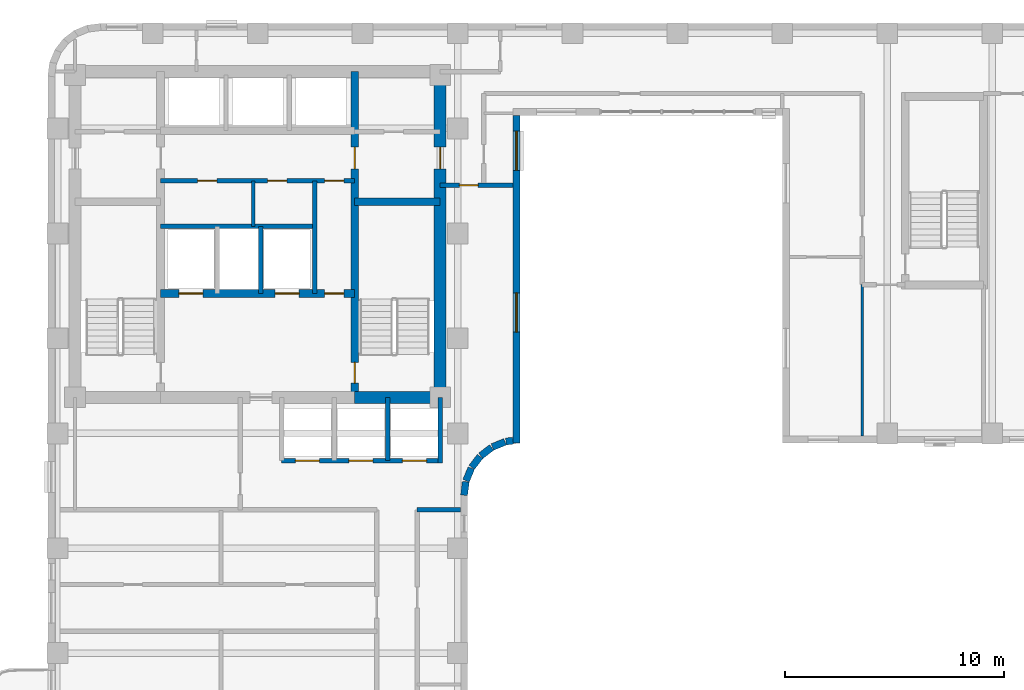
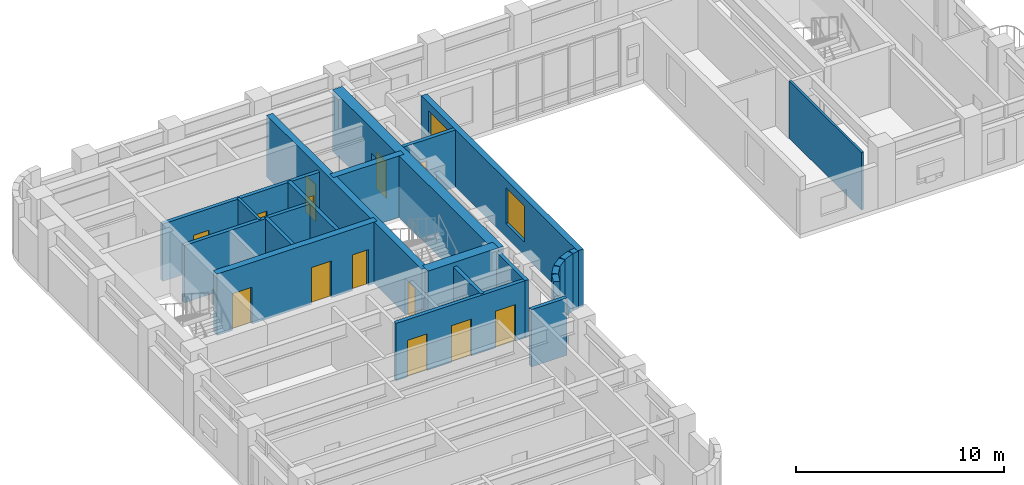
# One storey, part 5 of 11: 23 walls, 13 doors, 2 windows, 15 openings.
"""IFC4 building model written with IfcOpenShell, lengths in metres."""

from ifc_helpers import new_model, si_unit, direction, frame, frame_2d, origin, place, context, subcontext, project, spatial, rectangle, extrude, material, layer, layer_set, type_object, element, fill, save


model = new_model("IFC4")

# Units and contexts
model_context = context("Model", 3, precision=1e-05, world=origin(), true_north=direction((0.0, 1.0)))
body_context = subcontext(model_context, "Body", "Model", "MODEL_VIEW")
ifc_project = project(units=[si_unit("LENGTHUNIT", "METRE"), si_unit("AREAUNIT", "SQUARE_METRE"), si_unit("VOLUMEUNIT", "CUBIC_METRE"), si_unit("PLANEANGLEUNIT", "RADIAN"), si_unit("MASSUNIT", "GRAM", prefix="KILO")], contexts=[model_context])

# Site, building, storey
site_placement = place(None, origin())
site = spatial("IfcSite", under=ifc_project, at=site_placement, CompositionType="ELEMENT")
building_placement = place(site_placement, origin())
building = spatial("IfcBuilding", under=site, at=building_placement, Name="Orvandelia Arch Residences", CompositionType="ELEMENT")
storey_placement = place(building_placement, frame((0.0, 0.0, 161.199951171875)))
storey = spatial("IfcBuildingStorey", under=building, at=storey_placement, Name="L42", CompositionType="ELEMENT", Elevation=161.199951171875)

# Wall, openings, doors
ifc_material_1 = material(Name="Concrete C50/60", Category="concrete")
ifc_layer_1 = layer(ifc_material_1, 0.35009765625, Name="Concrete C50/60", Category="concrete")
ifc_layer_set_1 = layer_set([ifc_layer_1], Name="Concrete C50/60")
wall_type_1 = type_object("IfcWallType", Name="WL-CORE-350", PredefinedType="SHEAR", material=ifc_layer_set_1)
wall_1_placement = place(storey_placement, frame((18.840087890625, 30.89990234375, 0.0), z_axis=(0.0, 0.0, 1.0), x_axis=(0.0, 1.0, 0.0)))
wall_1 = element("IfcWall", 1, at=wall_1_placement, inside=storey, type_object=wall_type_1, Name="Core Shear Wall L42-WEB2", PredefinedType="SHEAR", context=body_context, shape_type="SweptSolid", body=[
    extrude(rectangle(XDim=14.900146484375, YDim=0.35009765625, at=frame_2d((7.4501953125, 0.0))), origin(), (0.0, 0.0, 1.0), 3.60009765625),
])
opening_1_placement = place(wall_1_placement, frame((0.64990234375, 0.0, 0.0)))
opening_1 = element("IfcOpeningElement", 2, at=opening_1_placement, cuts=wall_1, Name="Opening D7", PredefinedType="OPENING", context=body_context, shape_type="SweptSolid", body=[
    extrude(rectangle(XDim=0.949951171875, YDim=2.10009765625, at=frame_2d((0.47509765625, 1.050048828125))), frame((0.0, 0.18505859375, 0.0), z_axis=(0.0, -1.0, 0.0), x_axis=(1.0, 0.0, 0.0)), (0.0, 0.0, 1.0), 0.3701171875),
])
opening_2_placement = place(wall_1_placement, frame((10.449951171875, 0.0, 0.0)))
opening_2 = element("IfcOpeningElement", 3, at=opening_2_placement, cuts=wall_1, Name="Opening D6", PredefinedType="OPENING", context=body_context, shape_type="SweptSolid", body=[
    extrude(rectangle(XDim=1.0, YDim=2.14990234375, at=frame_2d((0.5, 1.074951171875))), frame((0.0, 0.18505859375, 0.0), z_axis=(0.0, -1.0, 0.0), x_axis=(1.0, 0.0, 0.0)), (0.0, 0.0, 1.0), 0.3701171875),
])
ifc_material_2 = material(Name="Smokeproof Painted Steel Fire Door", Category="steel")
door_type_1 = type_object("IfcDoorType", Name="DR-FD60-1000", OperationType="NOTDEFINED", PredefinedType="DOOR", material=ifc_material_2)
door_1_placement = place(opening_2_placement, origin())
door_1 = element("IfcDoor", 4, at=door_1_placement, inside=storey, type_object=door_type_1, Name="High-Rise Lift Hall East Vestibule Door L42", OperationType="SINGLE_SWING_RIGHT", OverallHeight=2.14990234375, OverallWidth=1.0, PredefinedType="DOOR", context=body_context, shape_type="SweptSolid", body=[
    extrude(rectangle(XDim=1.0, YDim=2.14990234375, at=frame_2d((0.5, 1.074951171875))), frame((0.0, 0.02490234375, 0.0), z_axis=(0.0, -1.0, 0.0), x_axis=(1.0, 0.0, 0.0)), (0.0, 0.0, 1.0), 0.050048828125),
])
fill(opening_2, door_1)
ifc_material_3 = material(Name="Pressurised Stairwell Fire Door")
door_type_2 = type_object("IfcDoorType", Name="DR-STAIR-950", OperationType="NOTDEFINED", PredefinedType="DOOR", material=ifc_material_3)
door_2_placement = place(opening_1_placement, origin())
door_2 = element("IfcDoor", 5, at=door_2_placement, inside=storey, type_object=door_type_2, Name="Stairwell ST-2 Fire Door L42", OperationType="SINGLE_SWING_RIGHT", OverallHeight=2.10009765625, OverallWidth=0.949951171875, PredefinedType="DOOR", context=body_context, shape_type="SweptSolid", body=[
    extrude(rectangle(XDim=0.949951171875, YDim=2.10009765625, at=frame_2d((0.47509765625, 1.050048828125))), frame((0.0, 0.02490234375, 0.0), z_axis=(0.0, -1.0, 0.0), x_axis=(1.0, 0.0, 0.0)), (0.0, 0.0, 1.0), 0.050048828125),
])
fill(opening_1, door_2)

# Wall
wall_2_placement = place(storey_placement, frame((18.840087890625, 39.85009765625, 0.0), z_axis=(0.0, 0.0, 1.0), x_axis=(1.0, 0.0, 0.0)))
element("IfcWall", 6, at=wall_2_placement, inside=storey, type_object=wall_type_1, Name="Core Shear Wall L42-HZ2", PredefinedType="SHEAR", context=body_context, shape_type="SweptSolid", body=[
    extrude(rectangle(XDim=3.909912109375, YDim=0.35009765625, at=frame_2d((1.955078125, 0.0))), origin(), (0.0, 0.0, 1.0), 3.60009765625),
])

# Wall, openings, doors
wall_3_placement = place(storey_placement, frame((9.9599609375, 35.64990234375, 0.0), z_axis=(0.0, 0.0, 1.0), x_axis=(1.0, 0.0, 0.0)))
wall_3 = element("IfcWall", 7, at=wall_3_placement, inside=storey, type_object=wall_type_1, Name="Core Shear Wall L42-HZ3", PredefinedType="SHEAR", context=body_context, shape_type="SweptSolid", body=[
    extrude(rectangle(XDim=8.880126953125, YDim=0.35009765625, at=frame_2d((4.43994140625, 0.0))), origin(), (0.0, 0.0, 1.0), 3.60009765625),
])
opening_3_placement = place(wall_3_placement, frame((0.840087890625, 0.0, 0.0)))
opening_3 = element("IfcOpeningElement", 8, at=opening_3_placement, cuts=wall_3, Name="Opening FLD", PredefinedType="OPENING", context=body_context, shape_type="SweptSolid", body=[
    extrude(rectangle(XDim=1.10009765625, YDim=2.14990234375, at=frame_2d((0.550048828125, 1.074951171875))), frame((0.0, 0.18505859375, 0.0), z_axis=(0.0, -1.0, 0.0), x_axis=(1.0, 0.0, 0.0)), (0.0, 0.0, 1.0), 0.3701171875),
])
opening_4_placement = place(wall_3_placement, frame((5.239990234375, 0.0, 0.0)))
opening_4 = element("IfcOpeningElement", 9, at=opening_4_placement, cuts=wall_3, Name="Opening FLD", PredefinedType="OPENING", context=body_context, shape_type="SweptSolid", body=[
    extrude(rectangle(XDim=1.10009765625, YDim=2.14990234375, at=frame_2d((0.550048828125, 1.074951171875))), frame((0.0, 0.18505859375, 0.0), z_axis=(0.0, -1.0, 0.0), x_axis=(1.0, 0.0, 0.0)), (0.0, 0.0, 1.0), 0.3701171875),
])
opening_5_placement = place(wall_3_placement, frame((7.5, 0.0, 0.0)))
opening_5 = element("IfcOpeningElement", 10, at=opening_5_placement, cuts=wall_3, Name="Opening D5", PredefinedType="OPENING", context=body_context, shape_type="SweptSolid", body=[
    extrude(rectangle(XDim=0.8798828125, YDim=2.10009765625, at=frame_2d((0.43994140625, 1.050048828125))), frame((0.0, 0.18505859375, 0.0), z_axis=(0.0, -1.0, 0.0), x_axis=(1.0, 0.0, 0.0)), (0.0, 0.0, 1.0), 0.3701171875),
])
ifc_material_4 = material(Name="Firefighting Lift Stainless Sliding Door")
door_type_3 = type_object("IfcDoorType", Name="DR-FLFT-1100", OperationType="NOTDEFINED", PredefinedType="DOOR", material=ifc_material_4)
door_3_placement = place(opening_3_placement, origin())
door_3 = element("IfcDoor", 11, at=door_3_placement, inside=storey, type_object=door_type_3, Name="Firefighting Lift Landing Door FLD-FL1-L42", OperationType="SLIDING_TO_LEFT", OverallHeight=2.14990234375, OverallWidth=1.10009765625, PredefinedType="DOOR", context=body_context, shape_type="SweptSolid", body=[
    extrude(rectangle(XDim=1.10009765625, YDim=2.14990234375, at=frame_2d((0.550048828125, 1.074951171875))), frame((0.0, 0.02490234375, 0.0), z_axis=(0.0, -1.0, 0.0), x_axis=(1.0, 0.0, 0.0)), (0.0, 0.0, 1.0), 0.050048828125),
])
fill(opening_3, door_3)
door_4_placement = place(opening_4_placement, origin())
door_4 = element("IfcDoor", 12, at=door_4_placement, inside=storey, type_object=door_type_3, Name="Firefighting Lift Landing Door FLD-FL2-L42", OperationType="SLIDING_TO_RIGHT", OverallHeight=2.14990234375, OverallWidth=1.10009765625, PredefinedType="DOOR", context=body_context, shape_type="SweptSolid", body=[
    extrude(rectangle(XDim=1.10009765625, YDim=2.14990234375, at=frame_2d((0.550048828125, 1.074951171875))), frame((0.0, 0.02490234375, 0.0), z_axis=(0.0, -1.0, 0.0), x_axis=(1.0, 0.0, 0.0)), (0.0, 0.0, 1.0), 0.050048828125),
])
fill(opening_4, door_4)
ifc_material_5 = material(Name="Painted Galvanised Steel Service Door", Category="steel")
door_type_4 = type_object("IfcDoorType", Name="DR-SRV-880", OperationType="NOTDEFINED", PredefinedType="DOOR", material=ifc_material_5)
door_5_placement = place(opening_5_placement, origin())
door_5 = element("IfcDoor", 13, at=door_5_placement, inside=storey, type_object=door_type_4, Name="Core Stairway Passage South Fire Door L42", OperationType="SINGLE_SWING_LEFT", OverallHeight=2.10009765625, OverallWidth=0.8798828125, PredefinedType="DOOR", context=body_context, shape_type="SweptSolid", body=[
    extrude(rectangle(XDim=0.8798828125, YDim=2.10009765625, at=frame_2d((0.43994140625, 1.050048828125))), frame((0.0, 0.02490234375, 0.0), z_axis=(0.0, -1.0, 0.0), x_axis=(1.0, 0.0, 0.0)), (0.0, 0.0, 1.0), 0.050048828125),
])
fill(opening_5, door_5)

# Wall, opening, door
ifc_material_6 = material(Name="Concrete C60/75", Category="concrete")
ifc_layer_2 = layer(ifc_material_6, 0.550048828125, Name="Concrete C60/75", Category="concrete")
ifc_layer_set_2 = layer_set([ifc_layer_2], Name="Concrete C60/75")
wall_type_2 = type_object("IfcWallType", Name="WL-CORE-550", PredefinedType="SHEAR", material=ifc_layer_set_2)
wall_4_placement = place(storey_placement, frame((22.75, 30.625, 0.0), z_axis=(0.0, 0.0, 1.0), x_axis=(0.0, 1.0, 0.0)))
wall_4 = element("IfcWall", 14, at=wall_4_placement, inside=storey, type_object=wall_type_2, Name="Core Shear Wall L42-E", PredefinedType="SHEAR", context=body_context, shape_type="SweptSolid", body=[
    extrude(rectangle(XDim=15.449951171875, YDim=0.550048828125, at=frame_2d((7.72509765625, 0.0))), origin(), (0.0, 0.0, 1.0), 3.60009765625),
])
opening_6_placement = place(wall_4_placement, frame((10.72509765625, 0.0, 0.0)))
opening_6 = element("IfcOpeningElement", 15, at=opening_6_placement, cuts=wall_4, Name="Opening D6", PredefinedType="OPENING", context=body_context, shape_type="SweptSolid", body=[
    extrude(rectangle(XDim=1.0, YDim=2.14990234375, at=frame_2d((0.5, 1.074951171875))), frame((0.0, 0.28515625, 0.0), z_axis=(0.0, -1.0, 0.0), x_axis=(1.0, 0.0, 0.0)), (0.0, 0.0, 1.0), 0.570068359375),
])
door_6_placement = place(opening_6_placement, origin())
door_6 = element("IfcDoor", 16, at=door_6_placement, inside=storey, type_object=door_type_1, Name="Core East Corridor Link Door L42", OperationType="SINGLE_SWING_LEFT", OverallHeight=2.14990234375, OverallWidth=1.0, PredefinedType="DOOR", context=body_context, shape_type="SweptSolid", body=[
    extrude(rectangle(XDim=1.0, YDim=2.14990234375, at=frame_2d((0.5, 1.074951171875))), frame((0.0, 0.02490234375, 0.0), z_axis=(0.0, -1.0, 0.0), x_axis=(1.0, 0.0, 0.0)), (0.0, 0.0, 1.0), 0.050048828125),
])
fill(opening_6, door_6)

# Walls
wall_5_placement = place(storey_placement, frame((18.840087890625, 30.89990234375, 0.0), z_axis=(0.0, 0.0, 1.0), x_axis=(1.0, 0.0, 0.0)))
element("IfcWall", 17, at=wall_5_placement, inside=storey, type_object=wall_type_2, Name="Core Shear Wall L42-SE", PredefinedType="SHEAR", context=body_context, shape_type="SweptSolid", body=[
    extrude(rectangle(XDim=3.909912109375, YDim=0.550048828125, at=frame_2d((1.955078125, 0.0))), origin(), (0.0, 0.0, 1.0), 3.60009765625),
])
ifc_material_7 = material(Name="Fire-Rated Corridor Partition")
ifc_layer_3 = layer(ifc_material_7, 0.199951171875, Name="Fire-Rated Corridor Partition")
ifc_layer_set_3 = layer_set([ifc_layer_3], Name="Fire-Rated Corridor Partition")
wall_type_3 = type_object("IfcWallType", Name="WL-CORR-200", PredefinedType="PARTITIONING", material=ifc_layer_set_3)
wall_6_placement = place(storey_placement, frame((21.699951171875, 25.75, 0.0), z_axis=(0.0, 0.0, 1.0), x_axis=(1.0, 0.0, 0.0)))
element("IfcWall", 18, at=wall_6_placement, inside=storey, type_object=wall_type_3, Name="Interior Partition Wall WL-L42-WCLS-E", PredefinedType="PARTITIONING", context=body_context, shape_type="SweptSolid", body=[
    extrude(rectangle(XDim=1.97998046875, YDim=0.199951171875, at=frame_2d((0.989990234375, 0.0))), origin(), (0.0, 0.0, 1.0), 3.360107421875),
])

# Wall, opening, door
wall_7_placement = place(storey_placement, frame((22.75, 40.60009765625, 0.0), z_axis=(0.0, 0.0, 1.0), x_axis=(1.0, 0.0, 0.0)))
wall_7 = element("IfcWall", 19, at=wall_7_placement, inside=storey, type_object=wall_type_3, Name="Interior Partition Wall WL-L42-ENP-LS", PredefinedType="PARTITIONING", context=body_context, shape_type="SweptSolid", body=[
    extrude(rectangle(XDim=3.330078125, YDim=0.199951171875, at=frame_2d((1.6650390625, 0.0))), origin(), (0.0, 0.0, 1.0), 3.360107421875),
])
opening_7_placement = place(wall_7_placement, frame((0.8798828125, 0.0, 0.0)))
opening_7 = element("IfcOpeningElement", 20, at=opening_7_placement, cuts=wall_7, Name="Opening D4", PredefinedType="OPENING", context=body_context, shape_type="SweptSolid", body=[
    extrude(rectangle(XDim=0.860107421875, YDim=2.10009765625, at=frame_2d((0.43017578125, 1.050048828125))), frame((0.0, 0.10986328125, 0.0), z_axis=(0.0, -1.0, 0.0), x_axis=(1.0, 0.0, 0.0)), (0.0, 0.0, 1.0), 0.219970703125),
])
ifc_material_8 = material(Name="Moisture-Sealed Timber Bathroom Door", Category="wood")
door_type_5 = type_object("IfcDoorType", Name="DR-WET-900", OperationType="NOTDEFINED", PredefinedType="DOOR", material=ifc_material_8)
door_7_placement = place(opening_7_placement, origin())
door_7 = element("IfcDoor", 21, at=door_7_placement, inside=storey, type_object=door_type_5, Name="DR-L42-VPWL", OperationType="SINGLE_SWING_RIGHT", OverallHeight=2.10009765625, OverallWidth=0.860107421875, PredefinedType="DOOR", context=body_context, shape_type="SweptSolid", body=[
    extrude(rectangle(XDim=0.860107421875, YDim=2.10009765625, at=frame_2d((0.43017578125, 1.050048828125))), frame((0.0, 0.02490234375, 0.0), z_axis=(0.0, -1.0, 0.0), x_axis=(1.0, 0.0, 0.0)), (0.0, 0.0, 1.0), 0.050048828125),
])
fill(opening_7, door_7)

# Wall, openings, windows
ifc_material_9 = material(Name="Precast concrete C40/50", Category="concrete")
ifc_layer_4 = layer(ifc_material_9, 0.320068359375, Name="Precast concrete C40/50", Category="concrete")
ifc_layer_set_4 = layer_set([ifc_layer_4], Name="Precast concrete C40/50")
wall_type_4 = type_object("IfcWallType", Name="WL-EXT-STONE-320", PredefinedType="STANDARD", material=ifc_layer_set_4)
wall_8_placement = place(storey_placement, frame((26.239990234375, 43.800048828125, 0.0), z_axis=(0.0, 0.0, 1.0), x_axis=(0.0, -1.0, 0.0)))
wall_8 = element("IfcWall", 22, at=wall_8_placement, inside=storey, type_object=wall_type_4, Name="Coral-Limestone Precast Facade Wall L42-025", PredefinedType="STANDARD", context=body_context, shape_type="SweptSolid", body=[
    extrude(rectangle(XDim=15.0, YDim=0.320068359375, at=frame_2d((7.5, 0.0))), origin(), (0.0, 0.0, 1.0), 3.360107421875),
])
opening_8_placement = place(wall_8_placement, frame((8.1201171875, 0.0, 0.800048828125)))
opening_8 = element("IfcOpeningElement", 23, at=opening_8_placement, cuts=wall_8, Name="Opening W1", PredefinedType="OPENING", context=body_context, shape_type="SweptSolid", body=[
    extrude(rectangle(XDim=1.800048828125, YDim=2.10009765625, at=frame_2d((0.89990234375, 1.050048828125))), frame((0.0, 0.169921875, 0.0), z_axis=(0.0, -1.0, 0.0), x_axis=(1.0, 0.0, 0.0)), (0.0, 0.0, 1.0), 0.340087890625),
])
opening_9_placement = place(wall_8_placement, frame((0.719970703125, 0.0, 0.800048828125)))
opening_9 = element("IfcOpeningElement", 24, at=opening_9_placement, cuts=wall_8, Name="Opening W1", PredefinedType="OPENING", context=body_context, shape_type="SweptSolid", body=[
    extrude(rectangle(XDim=1.800048828125, YDim=2.10009765625, at=frame_2d((0.89990234375, 1.050048828125))), frame((0.0, 0.169921875, 0.0), z_axis=(0.0, -1.0, 0.0), x_axis=(1.0, 0.0, 0.0)), (0.0, 0.0, 1.0), 0.340087890625),
])
ifc_material_10 = material(Name="Tempered Low-E Insulated Glazing", Category="glass")
window_type = type_object("IfcWindowType", Name="WIN-RES-1800x2100", PartitioningType="SINGLE_PANEL", PredefinedType="WINDOW", material=ifc_material_10)
window_1_placement = place(opening_8_placement, origin())
window_1 = element("IfcWindow", 25, at=window_1_placement, inside=storey, type_object=window_type, Name="Recessed Punched Window L42-014", OverallHeight=2.10009765625, OverallWidth=1.800048828125, PartitioningType="SINGLE_PANEL", PredefinedType="WINDOW", context=body_context, shape_type="SweptSolid", body=[
    extrude(rectangle(XDim=1.800048828125, YDim=2.10009765625, at=frame_2d((0.89990234375, 1.050048828125))), frame((0.0, 0.030029296875, 0.0), z_axis=(0.0, -1.0, 0.0), x_axis=(1.0, 0.0, 0.0)), (0.0, 0.0, 1.0), 0.06005859375),
])
fill(opening_8, window_1)
window_2_placement = place(opening_9_placement, origin())
window_2 = element("IfcWindow", 26, at=window_2_placement, inside=storey, type_object=window_type, Name="Recessed Punched Window L42-015", OverallHeight=2.10009765625, OverallWidth=1.800048828125, PartitioningType="SINGLE_PANEL", PredefinedType="WINDOW", context=body_context, shape_type="SweptSolid", body=[
    extrude(rectangle(XDim=1.800048828125, YDim=2.10009765625, at=frame_2d((0.89990234375, 1.050048828125))), frame((0.0, 0.030029296875, 0.0), z_axis=(0.0, -1.0, 0.0), x_axis=(1.0, 0.0, 0.0)), (0.0, 0.0, 1.0), 0.06005859375),
])
fill(opening_9, window_2)

# Walls
wall_9_placement = place(storey_placement, frame((26.081787109375, 28.91943359375, 0.0), z_axis=(0.0, 0.0, 1.0), x_axis=(-0.991512688813, -0.130009953168, 0.0)))
element("IfcWall", 27, at=wall_9_placement, inside=storey, type_object=wall_type_4, Name="Coral-Limestone Precast Facade Wall L42-026", PredefinedType="STANDARD", context=body_context, shape_type="SweptSolid", body=[
    extrude(rectangle(XDim=0.32666015625, YDim=0.320068359375, at=frame_2d((0.163330078125, 0.0))), origin(), (0.0, 0.0, 1.0), 3.360107421875),
])
wall_10_placement = place(storey_placement, frame((25.717529296875, 28.865966796875, 0.0), z_axis=(0.0, 0.0, 1.0), x_axis=(-0.923836271867, -0.382787856107, 0.0)))
element("IfcWall", 28, at=wall_10_placement, inside=storey, type_object=wall_type_4, Name="Coral-Limestone Precast Facade Wall L42-027", PredefinedType="STANDARD", context=body_context, shape_type="SweptSolid", body=[
    extrude(rectangle(XDim=0.626220703125, YDim=0.320068359375, at=frame_2d((0.31298828125, 0.0))), origin(), (0.0, 0.0, 1.0), 3.360107421875),
])
for number, where, z_axis, x_axis, name in (
    (29, (25.1025390625, 28.60546875, 0.0), (0.0, 0.0, 1.0), (-0.793405610854, -0.608693302629, 0.0), "Coral-Limestone Precast Facade Wall L42-028"),
    (30, (24.575927734375, 28.194580078125, 0.0), (0.0, 0.0, 1.0), (-0.608693302629, -0.793405610854, 0.0), "Coral-Limestone Precast Facade Wall L42-029"),
):
    element("IfcWall", number, at=place(storey_placement, frame(where, z_axis=z_axis, x_axis=x_axis)), inside=storey, type_object=wall_type_4, Name=name, PredefinedType="STANDARD", context=body_context, shape_type="SweptSolid", body=[
        extrude(rectangle(XDim=0.62646484375, YDim=0.320068359375, at=frame_2d((0.313232421875, 0.0))), origin(), (0.0, 0.0, 1.0), 3.360107421875),
    ])
wall_11_placement = place(storey_placement, frame((24.173583984375, 27.6611328125, 0.0), z_axis=(0.0, 0.0, 1.0), x_axis=(-0.382455093999, -0.923974080304, 0.0)))
element("IfcWall", 31, at=wall_11_placement, inside=storey, type_object=wall_type_4, Name="Coral-Limestone Precast Facade Wall L42-030", PredefinedType="STANDARD", context=body_context, shape_type="SweptSolid", body=[
    extrude(rectangle(XDim=0.626220703125, YDim=0.320068359375, at=frame_2d((0.31298828125, 0.0))), origin(), (0.0, 0.0, 1.0), 3.360107421875),
])
wall_12_placement = place(storey_placement, frame((23.923095703125, 27.0419921875, 0.0), z_axis=(0.0, 0.0, 1.0), x_axis=(-0.130555323746, -0.9914410257, 0.0)))
element("IfcWall", 32, at=wall_12_placement, inside=storey, type_object=wall_type_4, Name="Coral-Limestone Precast Facade Wall L42-031", PredefinedType="STANDARD", context=body_context, shape_type="SweptSolid", body=[
    extrude(rectangle(XDim=0.62646484375, YDim=0.320068359375, at=frame_2d((0.313232421875, 0.0))), origin(), (0.0, 0.0, 1.0), 2.5400390625),
])
ifc_material_11 = material(Name="Lightweight Gypsum Stud Partition")
ifc_layer_5 = layer(ifc_material_11, 0.1201171875, Name="Lightweight Gypsum Stud Partition")
ifc_layer_set_5 = layer_set([ifc_layer_5], Name="Lightweight Gypsum Stud Partition")
wall_type_5 = type_object("IfcWallType", Name="WL-PART-120", PredefinedType="PARTITIONING", material=ifc_layer_set_5)
wall_13_placement = place(storey_placement, frame((42.050048828125, 29.1201171875, 0.0), z_axis=(0.0, 0.0, 1.0), x_axis=(0.0, 1.0, 0.0)))
element("IfcWall", 33, at=wall_13_placement, inside=storey, type_object=wall_type_5, Name="Interior Partition Wall WL-L42-VPS3-W", PredefinedType="PARTITIONING", context=body_context, shape_type="SweptSolid", body=[
    extrude(rectangle(XDim=6.929931640625, YDim=0.1201171875, at=frame_2d((3.46484375, 0.0))), origin(), (0.0, 0.0, 1.0), 3.360107421875),
])
ifc_material_12 = material(Name="Acoustic Gypsum Stud Partition")
ifc_layer_6 = layer(ifc_material_12, 0.14990234375, Name="Acoustic Gypsum Stud Partition")
ifc_layer_set_6 = layer_set([ifc_layer_6], Name="Acoustic Gypsum Stud Partition")
wall_type_6 = type_object("IfcWallType", Name="WL-PART-150", PredefinedType="PARTITIONING", material=ifc_layer_set_6)
wall_14_placement = place(storey_placement, frame((14.199951171875, 38.719970703125, 0.0), z_axis=(0.0, 0.0, 1.0), x_axis=(0.0, 1.0, 0.0)))
element("IfcWall", 34, at=wall_14_placement, inside=storey, type_object=wall_type_6, Name="Interior Partition Wall WL-L42-CSA-1", PredefinedType="PARTITIONING", context=body_context, shape_type="SweptSolid", body=[
    extrude(rectangle(XDim=2.080078125, YDim=0.14990234375, at=frame_2d((1.0400390625, 0.0))), origin(), (0.0, 0.0, 1.0), 3.360107421875),
])
ifc_material_13 = material(Name="Fire-Rated Shaft Enclosure Wall")
ifc_layer_7 = layer(ifc_material_13, 0.199951171875, Name="Fire-Rated Shaft Enclosure Wall")
ifc_layer_set_7 = layer_set([ifc_layer_7], Name="Fire-Rated Shaft Enclosure Wall")
wall_type_7 = type_object("IfcWallType", Name="WL-SHAFT-200", PredefinedType="POLYGONAL", material=ifc_layer_set_7)
wall_15_placement = place(storey_placement, frame((9.9599609375, 38.719970703125, 0.0), z_axis=(0.0, 0.0, 1.0), x_axis=(1.0, 0.0, 0.0)))
element("IfcWall", 35, at=wall_15_placement, inside=storey, type_object=wall_type_7, Name="Interior Partition Wall WL-L42-FLN", PredefinedType="POLYGONAL", context=body_context, shape_type="SweptSolid", body=[
    extrude(rectangle(XDim=7.06005859375, YDim=0.199951171875, at=frame_2d((3.530029296875, 0.0))), origin(), (0.0, 0.0, 1.0), 3.360107421875),
])
wall_16_placement = place(storey_placement, frame((14.550048828125, 35.64990234375, 0.0), z_axis=(0.0, 0.0, 1.0), x_axis=(0.0, 1.0, 0.0)))
element("IfcWall", 36, at=wall_16_placement, inside=storey, type_object=wall_type_7, Name="Interior Partition Wall WL-L42-FLM2", PredefinedType="POLYGONAL", context=body_context, shape_type="SweptSolid", body=[
    extrude(rectangle(XDim=3.070068359375, YDim=0.199951171875, at=frame_2d((1.53515625, 0.0))), origin(), (0.0, 0.0, 1.0), 3.360107421875),
])
wall_17_placement = place(storey_placement, frame((17.02001953125, 35.64990234375, 0.0), z_axis=(0.0, 0.0, 1.0), x_axis=(0.0, 1.0, 0.0)))
element("IfcWall", 37, at=wall_17_placement, inside=storey, type_object=wall_type_7, Name="Interior Partition Wall WL-L42-FLM3", PredefinedType="POLYGONAL", context=body_context, shape_type="SweptSolid", body=[
    extrude(rectangle(XDim=5.150146484375, YDim=0.199951171875, at=frame_2d((2.5751953125, 0.0))), origin(), (0.0, 0.0, 1.0), 3.360107421875),
])

# Wall, openings, doors
wall_18_placement = place(storey_placement, frame((9.9599609375, 40.800048828125, 0.0), z_axis=(0.0, 0.0, 1.0), x_axis=(1.0, 0.0, 0.0)))
wall_18 = element("IfcWall", 38, at=wall_18_placement, inside=storey, type_object=wall_type_7, Name="Interior Partition Wall WL-L42-HLH-S", PredefinedType="POLYGONAL", context=body_context, shape_type="SweptSolid", body=[
    extrude(rectangle(XDim=8.880126953125, YDim=0.199951171875, at=frame_2d((4.43994140625, 0.0))), origin(), (0.0, 0.0, 1.0), 3.360107421875),
])
opening_10_placement = place(wall_18_placement, frame((7.5, 0.0, 0.0)))
opening_10 = element("IfcOpeningElement", 39, at=opening_10_placement, cuts=wall_18, Name="Opening D5", PredefinedType="OPENING", context=body_context, shape_type="SweptSolid", body=[
    extrude(rectangle(XDim=0.8798828125, YDim=2.10009765625, at=frame_2d((0.43994140625, 1.050048828125))), frame((0.0, 0.10986328125, 0.0), z_axis=(0.0, -1.0, 0.0), x_axis=(1.0, 0.0, 0.0)), (0.0, 0.0, 1.0), 0.219970703125),
])
opening_11_placement = place(wall_18_placement, frame((1.699951171875, 0.0, 0.0)))
opening_11 = element("IfcOpeningElement", 40, at=opening_11_placement, cuts=wall_18, Name="Opening D5", PredefinedType="OPENING", context=body_context, shape_type="SweptSolid", body=[
    extrude(rectangle(XDim=0.8798828125, YDim=2.10009765625, at=frame_2d((0.43994140625, 1.050048828125))), frame((0.0, 0.10986328125, 0.0), z_axis=(0.0, -1.0, 0.0), x_axis=(1.0, 0.0, 0.0)), (0.0, 0.0, 1.0), 0.219970703125),
])
opening_12_placement = place(wall_18_placement, frame((4.89990234375, 0.0, 0.0)))
opening_12 = element("IfcOpeningElement", 41, at=opening_12_placement, cuts=wall_18, Name="Opening D5", PredefinedType="OPENING", context=body_context, shape_type="SweptSolid", body=[
    extrude(rectangle(XDim=0.8798828125, YDim=2.10009765625, at=frame_2d((0.43994140625, 1.050048828125))), frame((0.0, 0.10986328125, 0.0), z_axis=(0.0, -1.0, 0.0), x_axis=(1.0, 0.0, 0.0)), (0.0, 0.0, 1.0), 0.219970703125),
])
door_8_placement = place(opening_10_placement, origin())
door_8 = element("IfcDoor", 42, at=door_8_placement, inside=storey, type_object=door_type_4, Name="Core Stairway Passage North Fire Door L42", OperationType="SINGLE_SWING_RIGHT", OverallHeight=2.10009765625, OverallWidth=0.8798828125, PredefinedType="DOOR", context=body_context, shape_type="SweptSolid", body=[
    extrude(rectangle(XDim=0.8798828125, YDim=2.10009765625, at=frame_2d((0.43994140625, 1.050048828125))), frame((0.0, 0.02490234375, 0.0), z_axis=(0.0, -1.0, 0.0), x_axis=(1.0, 0.0, 0.0)), (0.0, 0.0, 1.0), 0.050048828125),
])
fill(opening_10, door_8)
door_9_placement = place(opening_11_placement, origin())
door_9 = element("IfcDoor", 43, at=door_9_placement, inside=storey, type_object=door_type_4, Name="DR-L42-CSA1", OperationType="SINGLE_SWING_LEFT", OverallHeight=2.10009765625, OverallWidth=0.8798828125, PredefinedType="DOOR", context=body_context, shape_type="SweptSolid", body=[
    extrude(rectangle(XDim=0.8798828125, YDim=2.10009765625, at=frame_2d((0.43994140625, 1.050048828125))), frame((0.0, 0.02490234375, 0.0), z_axis=(0.0, -1.0, 0.0), x_axis=(1.0, 0.0, 0.0)), (0.0, 0.0, 1.0), 0.050048828125),
])
fill(opening_11, door_9)
door_10_placement = place(opening_12_placement, origin())
door_10 = element("IfcDoor", 44, at=door_10_placement, inside=storey, type_object=door_type_4, Name="DR-L42-CSA2", OperationType="SINGLE_SWING_RIGHT", OverallHeight=2.10009765625, OverallWidth=0.8798828125, PredefinedType="DOOR", context=body_context, shape_type="SweptSolid", body=[
    extrude(rectangle(XDim=0.8798828125, YDim=2.10009765625, at=frame_2d((0.43994140625, 1.050048828125))), frame((0.0, 0.02490234375, 0.0), z_axis=(0.0, -1.0, 0.0), x_axis=(1.0, 0.0, 0.0)), (0.0, 0.0, 1.0), 0.050048828125),
])
fill(opening_12, door_10)

wall_19_placement = place(storey_placement, frame((15.5, 28.0, 0.0), z_axis=(0.0, 0.0, 1.0), x_axis=(1.0, 0.0, 0.0)))
wall_19 = element("IfcWall", 45, at=wall_19_placement, inside=storey, type_object=wall_type_7, Name="Interior Partition Wall WL-L42-BNKM-S", PredefinedType="POLYGONAL", context=body_context, shape_type="SweptSolid", body=[
    extrude(rectangle(XDim=7.25, YDim=0.199951171875, at=frame_2d((3.625, 0.0))), origin(), (0.0, 0.0, 1.0), 3.360107421875),
])
opening_13_placement = place(wall_19_placement, frame((0.625, 0.0, 0.0)))
opening_13 = element("IfcOpeningElement", 46, at=opening_13_placement, cuts=wall_19, Name="Opening LD", PredefinedType="OPENING", context=body_context, shape_type="SweptSolid", body=[
    extrude(rectangle(XDim=1.10009765625, YDim=2.14990234375, at=frame_2d((0.550048828125, 1.074951171875))), frame((0.0, 0.10986328125, 0.0), z_axis=(0.0, -1.0, 0.0), x_axis=(1.0, 0.0, 0.0)), (0.0, 0.0, 1.0), 0.219970703125),
])
opening_14_placement = place(wall_19_placement, frame((3.074951171875, 0.0, 0.0)))
opening_14 = element("IfcOpeningElement", 47, at=opening_14_placement, cuts=wall_19, Name="Opening LD", PredefinedType="OPENING", context=body_context, shape_type="SweptSolid", body=[
    extrude(rectangle(XDim=1.10009765625, YDim=2.14990234375, at=frame_2d((0.550048828125, 1.074951171875))), frame((0.0, 0.10986328125, 0.0), z_axis=(0.0, -1.0, 0.0), x_axis=(1.0, 0.0, 0.0)), (0.0, 0.0, 1.0), 0.219970703125),
])
opening_15_placement = place(wall_19_placement, frame((5.52490234375, 0.0, 0.0)))
opening_15 = element("IfcOpeningElement", 48, at=opening_15_placement, cuts=wall_19, Name="Opening LD", PredefinedType="OPENING", context=body_context, shape_type="SweptSolid", body=[
    extrude(rectangle(XDim=1.10009765625, YDim=2.14990234375, at=frame_2d((0.550048828125, 1.074951171875))), frame((0.0, 0.10986328125, 0.0), z_axis=(0.0, -1.0, 0.0), x_axis=(1.0, 0.0, 0.0)), (0.0, 0.0, 1.0), 0.219970703125),
])
ifc_material_14 = material(Name="Brushed Stainless Steel Sliding Lift Door", Category="steel")
door_type_6 = type_object("IfcDoorType", Name="DR-LIFT-1100", OperationType="NOTDEFINED", PredefinedType="DOOR", material=ifc_material_14)
door_11_placement = place(opening_13_placement, origin())
door_11 = element("IfcDoor", 49, at=door_11_placement, inside=storey, type_object=door_type_6, Name="Lift Landing Door LD-PM1", OperationType="SLIDING_TO_LEFT", OverallHeight=2.14990234375, OverallWidth=1.10009765625, PredefinedType="DOOR", context=body_context, shape_type="SweptSolid", body=[
    extrude(rectangle(XDim=1.10009765625, YDim=2.14990234375, at=frame_2d((0.550048828125, 1.074951171875))), frame((0.0, 0.02490234375, 0.0), z_axis=(0.0, -1.0, 0.0), x_axis=(1.0, 0.0, 0.0)), (0.0, 0.0, 1.0), 0.050048828125),
])
fill(opening_13, door_11)
door_12_placement = place(opening_14_placement, origin())
door_12 = element("IfcDoor", 50, at=door_12_placement, inside=storey, type_object=door_type_6, Name="Lift Landing Door LD-PM2", OperationType="SLIDING_TO_RIGHT", OverallHeight=2.14990234375, OverallWidth=1.10009765625, PredefinedType="DOOR", context=body_context, shape_type="SweptSolid", body=[
    extrude(rectangle(XDim=1.10009765625, YDim=2.14990234375, at=frame_2d((0.550048828125, 1.074951171875))), frame((0.0, 0.02490234375, 0.0), z_axis=(0.0, -1.0, 0.0), x_axis=(1.0, 0.0, 0.0)), (0.0, 0.0, 1.0), 0.050048828125),
])
fill(opening_14, door_12)
door_13_placement = place(opening_15_placement, origin())
door_13 = element("IfcDoor", 51, at=door_13_placement, inside=storey, type_object=door_type_6, Name="Lift Landing Door LD-PM3", OperationType="SLIDING_TO_LEFT", OverallHeight=2.14990234375, OverallWidth=1.10009765625, PredefinedType="DOOR", context=body_context, shape_type="SweptSolid", body=[
    extrude(rectangle(XDim=1.10009765625, YDim=2.14990234375, at=frame_2d((0.550048828125, 1.074951171875))), frame((0.0, 0.02490234375, 0.0), z_axis=(0.0, -1.0, 0.0), x_axis=(1.0, 0.0, 0.0)), (0.0, 0.0, 1.0), 0.050048828125),
])
fill(opening_15, door_13)

# Walls
wall_20_placement = place(storey_placement, frame((22.75, 27.89990234375, 0.0), z_axis=(0.0, 0.0, 1.0), x_axis=(0.0, 1.0, 0.0)))
element("IfcWall", 52, at=wall_20_placement, inside=storey, type_object=wall_type_7, Name="Interior Partition Wall WL-L42-BNKM-E", PredefinedType="POLYGONAL", context=body_context, shape_type="SweptSolid", body=[
    extrude(rectangle(XDim=3.0, YDim=0.199951171875, at=frame_2d((1.5, 0.0))), origin(), (0.0, 0.0, 1.0), 3.360107421875),
])
wall_21_placement = place(storey_placement, frame((20.35009765625, 28.0, 0.0), z_axis=(0.0, 0.0, 1.0), x_axis=(0.0, 1.0, 0.0)))
element("IfcWall", 53, at=wall_21_placement, inside=storey, type_object=wall_type_7, Name="Interior Partition Wall WL-L42-BNKMD-2035", PredefinedType="POLYGONAL", context=body_context, shape_type="SweptSolid", body=[
    extrude(rectangle(XDim=2.89990234375, YDim=0.199951171875, at=frame_2d((1.449951171875, 0.0))), origin(), (0.0, 0.0, 1.0), 3.360107421875),
])

save(model, "model.ifc")
